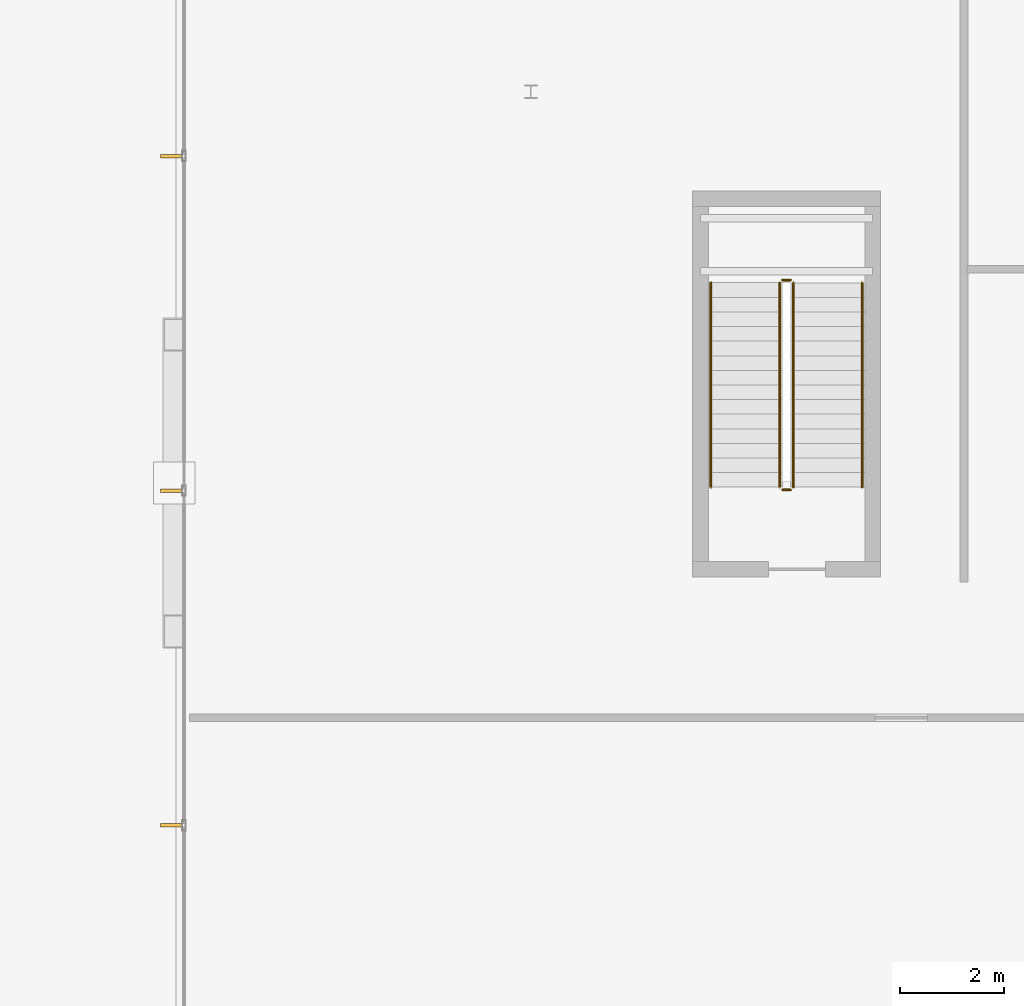
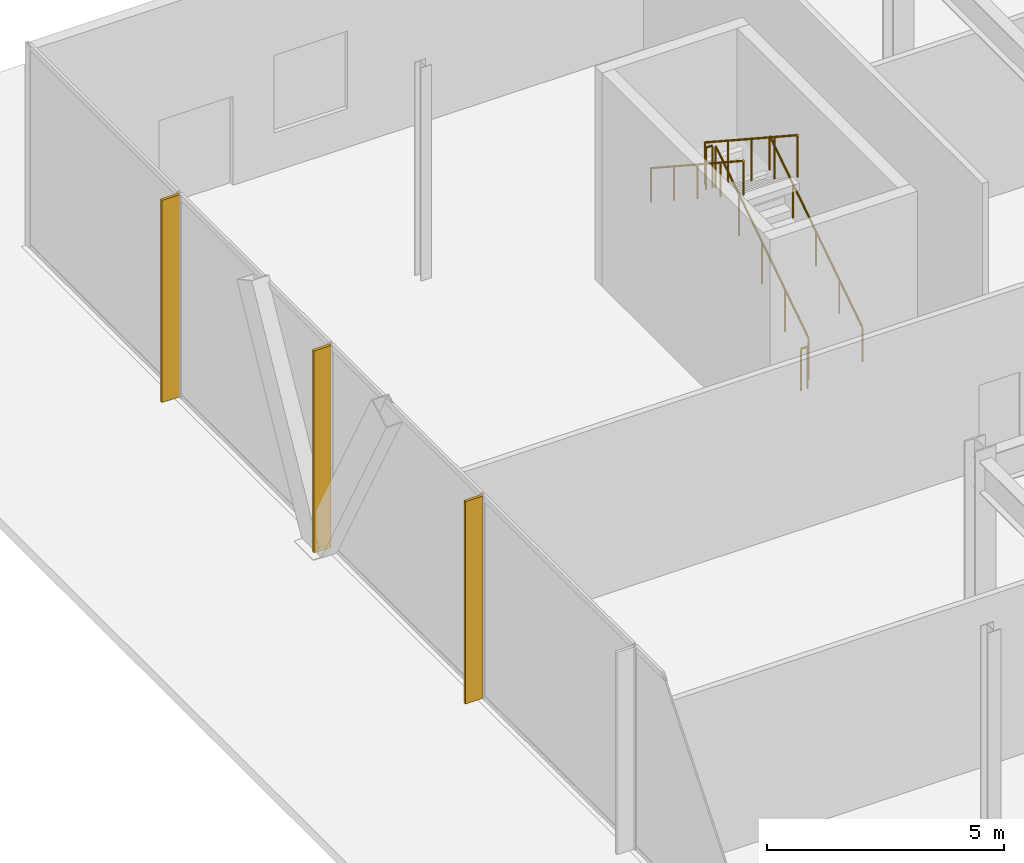
# One storey, part 35 of 38: 6 railings, 3 shading devices.
"""IFC4 building model written with IfcOpenShell, lengths in metres."""

from ifc_helpers import new_model, si_unit, direction, frame, origin, origin_2d, place, context, subcontext, project, spatial, rectangle, circle, extrude, material, layer, layer_set, type_object, element, save


model = new_model("IFC4")

# Units and contexts
model_context = context("Model", 3, precision=1e-05, world=origin(), true_north=direction((0.0, 1.0)))
body_context = subcontext(model_context, "Body", "Model", "MODEL_VIEW")
ifc_project = project(units=[si_unit("LENGTHUNIT", "METRE"), si_unit("AREAUNIT", "SQUARE_METRE"), si_unit("VOLUMEUNIT", "CUBIC_METRE"), si_unit("PLANEANGLEUNIT", "RADIAN"), si_unit("MASSUNIT", "GRAM", prefix="KILO")], contexts=[model_context])

# Site, building, storey
site_placement = place(None, origin())
site = spatial("IfcSite", under=ifc_project, at=site_placement, CompositionType="ELEMENT")
building_placement = place(site_placement, origin())
building = spatial("IfcBuilding", under=site, at=building_placement, Name="Orvanel Arch Residences", CompositionType="ELEMENT")
storey_placement = place(building_placement, origin())
storey = spatial("IfcBuildingStorey", under=building, at=storey_placement, Name="L00", CompositionType="ELEMENT", Elevation=0.0)

# Shading devices
ifc_material_1 = material(Name="Bronze-anodised aluminium AA6063-T6", Category="aluminium")
ifc_layer = layer(ifc_material_1, 0.06494140625)
ifc_layer_set = layer_set([ifc_layer], Name="Bronze-anodised aluminium AA6063-T6")
shading_device_type = type_object("IfcShadingDeviceType", Name="FIN-BRZ-420", PredefinedType="USERDEFINED", material=ifc_layer_set)
for number, where, z_axis, x_axis, name in (
    (1, (1.31005859375, 46.76611328125, 0.0), (0.0, 0.0, 1.0), (-1.0, 0.0, 0.0), "L00 Anodised Bronze Mullion FIN 01"),
    (2, (1.31005859375, 40.35205078125, 0.0), (0.0, 0.0, 1.0), (-1.0, 0.0, 0.0), "L00 Anodised Bronze Mullion FIN 02"),
    (3, (1.31005859375, 33.93896484375, 0.0), (0.0, 0.0, 1.0), (-1.0, 0.0, 0.0), "L00 Anodised Bronze Mullion FIN 03"),
):
    element("IfcShadingDevice", number, at=place(storey_placement, frame(where, z_axis=z_axis, x_axis=x_axis)), inside=storey, type_object=shading_device_type, Name=name, ObjectType="FIN", PredefinedType="USERDEFINED", context=body_context, shape_type="SweptSolid", body=[
        extrude(rectangle(XDim=0.419921875, YDim=0.06494140625, at=origin_2d()), origin(), (0.0, 0.0, 1.0), 5.219970703125),
    ])

# Railings
ifc_material_2 = material(Name="Structural steel AS/NZS 1163 C350L0 (Grade 350)", Category="steel")
railing_type_1 = type_object("IfcRailingType", Name="RL-STAIR-GUARD", PredefinedType="GUARDRAIL", material=ifc_material_2)
railing_1_placement = place(storey_placement, frame((13.22998046875, 40.419921875, 0.183349609375)))
element("IfcRailing", 4, at=railing_1_placement, inside=storey, type_object=railing_type_1, Name="L00 ST-3 stair guard 1", PredefinedType="GUARDRAIL", context=body_context, shape_type="SweptSolid", body=[
    extrude(circle(Radius=0.02392578125, at=origin_2d()), frame((0.0, 0.001220703125, 1.076904296875), z_axis=(0.0, 0.836630751959, 0.54776727255), x_axis=(-1.0, 0.0, 0.0)), (0.0, 0.0, 1.0), 4.6826171875),
    extrude(circle(Radius=0.02099609375, at=origin_2d()), origin(), (0.0, 0.0, 1.0), 1.050048828125),
    extrude(circle(Radius=0.02099609375, at=origin_2d()), frame((0.0, 0.97998046875, 0.6416015625)), (0.0, 0.0, 1.0), 1.050048828125),
    extrude(circle(Radius=0.02099609375, at=origin_2d()), frame((0.0, 1.9599609375, 1.283203125)), (0.0, 0.0, 1.0), 1.050048828125),
    extrude(circle(Radius=0.02099609375, at=origin_2d()), frame((0.0, 2.940185546875, 1.925048828125)), (0.0, 0.0, 1.0), 1.050048828125),
    extrude(circle(Radius=0.02099609375, at=origin_2d()), frame((0.0, 3.920166015625, 2.566650390625)), (0.0, 0.0, 1.0), 1.050048828125),
])
railing_2_placement = place(storey_placement, frame((13.179931640625, 44.389892578125, 2.75)))
element("IfcRailing", 5, at=railing_2_placement, inside=storey, type_object=railing_type_1, Name="L00 ST-3 stair guard 2", PredefinedType="GUARDRAIL", context=body_context, shape_type="SweptSolid", body=[
    extrude(circle(Radius=0.02392578125, at=origin_2d()), frame((-0.00146484375, 0.0, 1.076171875), z_axis=(-1.0, 0.0, 0.0), x_axis=(0.0, -1.0, 0.0)), (0.0, 0.0, 1.0), 0.156982421875),
    extrude(circle(Radius=0.02099609375, at=origin_2d()), origin(), (0.0, 0.0, 1.0), 1.050048828125),
    extrude(circle(Radius=0.02099609375, at=origin_2d()), frame((-0.159912109375, 0.0, 0.0)), (0.0, 0.0, 1.0), 1.050048828125),
])
railing_3_placement = place(storey_placement, frame((12.969970703125, 44.340087890625, 2.933349609375)))
element("IfcRailing", 6, at=railing_3_placement, inside=storey, type_object=railing_type_1, Name="L00 ST-3 stair guard 3", PredefinedType="GUARDRAIL", context=body_context, shape_type="SweptSolid", body=[
    extrude(circle(Radius=0.02392578125, at=origin_2d()), frame((0.0, -0.001220703125, 1.076904296875), z_axis=(0.0, -0.836630751959, 0.54776727255), x_axis=(1.0, 0.0, 0.0)), (0.0, 0.0, 1.0), 4.6826171875),
    extrude(circle(Radius=0.02099609375, at=origin_2d()), origin(), (0.0, 0.0, 1.0), 1.050048828125),
    extrude(circle(Radius=0.02099609375, at=origin_2d()), frame((0.0, -0.97998046875, 0.6416015625)), (0.0, 0.0, 1.0), 1.050048828125),
    extrude(circle(Radius=0.02099609375, at=origin_2d()), frame((0.0, -1.9599609375, 1.283203125)), (0.0, 0.0, 1.0), 1.050048828125),
    extrude(circle(Radius=0.02099609375, at=origin_2d()), frame((0.0, -2.940185546875, 1.925048828125)), (0.0, 0.0, 1.0), 1.050048828125),
    extrude(circle(Radius=0.02099609375, at=origin_2d()), frame((0.0, -3.920166015625, 2.566650390625)), (0.0, 0.0, 1.0), 1.050048828125),
])
railing_4_placement = place(storey_placement, frame((13.179931640625, 40.3701171875, 0.0)))
element("IfcRailing", 7, at=railing_4_placement, inside=storey, type_object=railing_type_1, Name="L00 ST-3 stair guard 4", PredefinedType="GUARDRAIL", context=body_context, shape_type="SweptSolid", body=[
    extrude(circle(Radius=0.02392578125, at=origin_2d()), frame((-0.00146484375, 0.0, 1.076171875), z_axis=(-1.0, 0.0, 0.0), x_axis=(0.0, -1.0, 0.0)), (0.0, 0.0, 1.0), 0.156982421875),
    extrude(circle(Radius=0.02099609375, at=origin_2d()), origin(), (0.0, 0.0, 1.0), 1.050048828125),
    extrude(circle(Radius=0.02099609375, at=origin_2d()), frame((-0.159912109375, 0.0, 0.0)), (0.0, 0.0, 1.0), 1.050048828125),
])
railing_type_2 = type_object("IfcRailingType", Name="RL-STAIR-HAND", PredefinedType="HANDRAIL", material=ifc_material_2)
railing_5_placement = place(storey_placement, frame((14.550048828125, 40.419921875, 0.183349609375)))
element("IfcRailing", 8, at=railing_5_placement, inside=storey, type_object=railing_type_2, Name="L00 ST-3 stair handrail 1", PredefinedType="HANDRAIL", context=body_context, shape_type="SweptSolid", body=[
    extrude(circle(Radius=0.02392578125, at=origin_2d()), frame((0.0, 0.001220703125, 0.876708984375), z_axis=(0.0, 0.836630751959, 0.54776727255), x_axis=(-1.0, 0.0, 0.0)), (0.0, 0.0, 1.0), 4.6826171875),
    extrude(circle(Radius=0.02099609375, at=origin_2d()), origin(), (0.0, 0.0, 1.0), 0.849853515625),
    extrude(circle(Radius=0.02099609375, at=origin_2d()), frame((0.0, 0.97998046875, 0.6416015625)), (0.0, 0.0, 1.0), 0.849853515625),
    extrude(circle(Radius=0.02099609375, at=origin_2d()), frame((0.0, 1.9599609375, 1.283203125)), (0.0, 0.0, 1.0), 0.849853515625),
    extrude(circle(Radius=0.02099609375, at=origin_2d()), frame((0.0, 2.940185546875, 1.925048828125)), (0.0, 0.0, 1.0), 0.849853515625),
    extrude(circle(Radius=0.02099609375, at=origin_2d()), frame((0.0, 3.920166015625, 2.566650390625)), (0.0, 0.0, 1.0), 0.849853515625),
])
railing_6_placement = place(storey_placement, frame((11.64990234375, 44.340087890625, 2.933349609375)))
element("IfcRailing", 9, at=railing_6_placement, inside=storey, type_object=railing_type_2, Name="L00 ST-3 stair handrail 2", PredefinedType="HANDRAIL", context=body_context, shape_type="SweptSolid", body=[
    extrude(circle(Radius=0.02392578125, at=origin_2d()), frame((0.0, -0.001220703125, 0.876708984375), z_axis=(0.0, -0.836630751959, 0.54776727255), x_axis=(1.0, 0.0, 0.0)), (0.0, 0.0, 1.0), 4.6826171875),
    extrude(circle(Radius=0.02099609375, at=origin_2d()), origin(), (0.0, 0.0, 1.0), 0.849853515625),
    extrude(circle(Radius=0.02099609375, at=origin_2d()), frame((0.0, -0.97998046875, 0.6416015625)), (0.0, 0.0, 1.0), 0.849853515625),
    extrude(circle(Radius=0.02099609375, at=origin_2d()), frame((0.0, -1.9599609375, 1.283203125)), (0.0, 0.0, 1.0), 0.849853515625),
    extrude(circle(Radius=0.02099609375, at=origin_2d()), frame((0.0, -2.940185546875, 1.925048828125)), (0.0, 0.0, 1.0), 0.849853515625),
    extrude(circle(Radius=0.02099609375, at=origin_2d()), frame((0.0, -3.920166015625, 2.566650390625)), (0.0, 0.0, 1.0), 0.849853515625),
])

save(model, "model.ifc")
